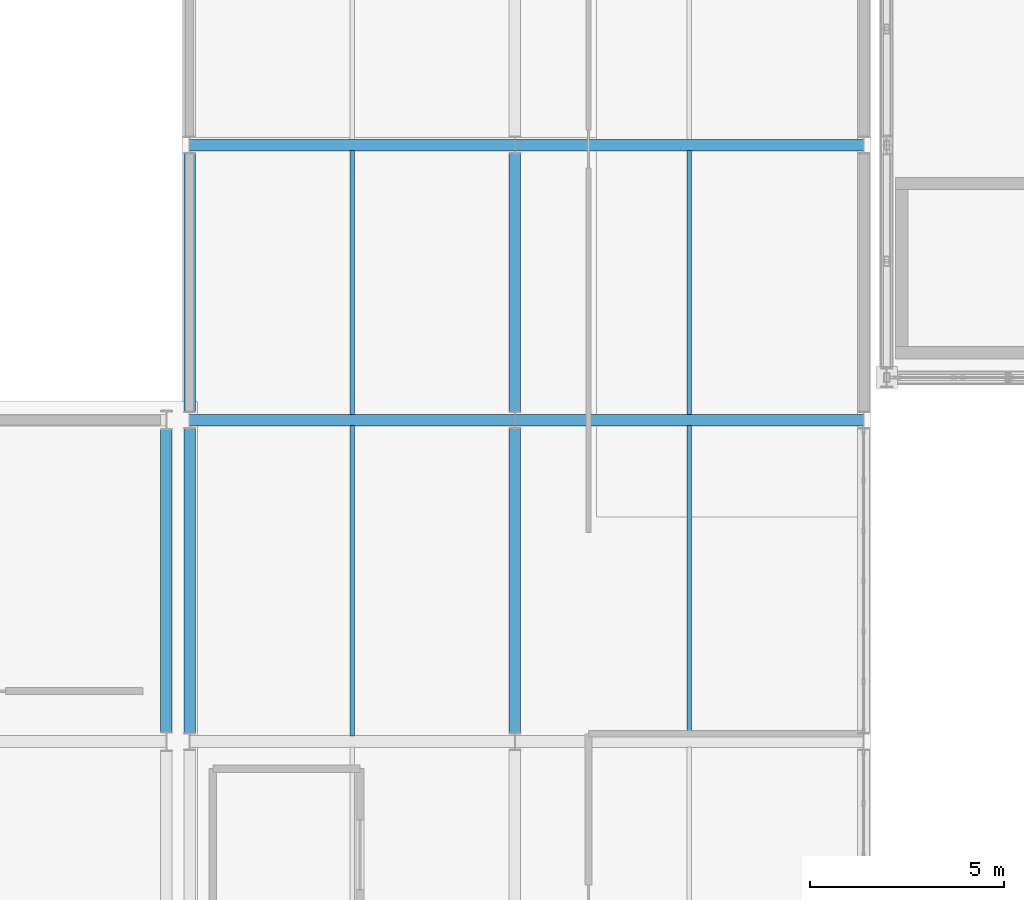
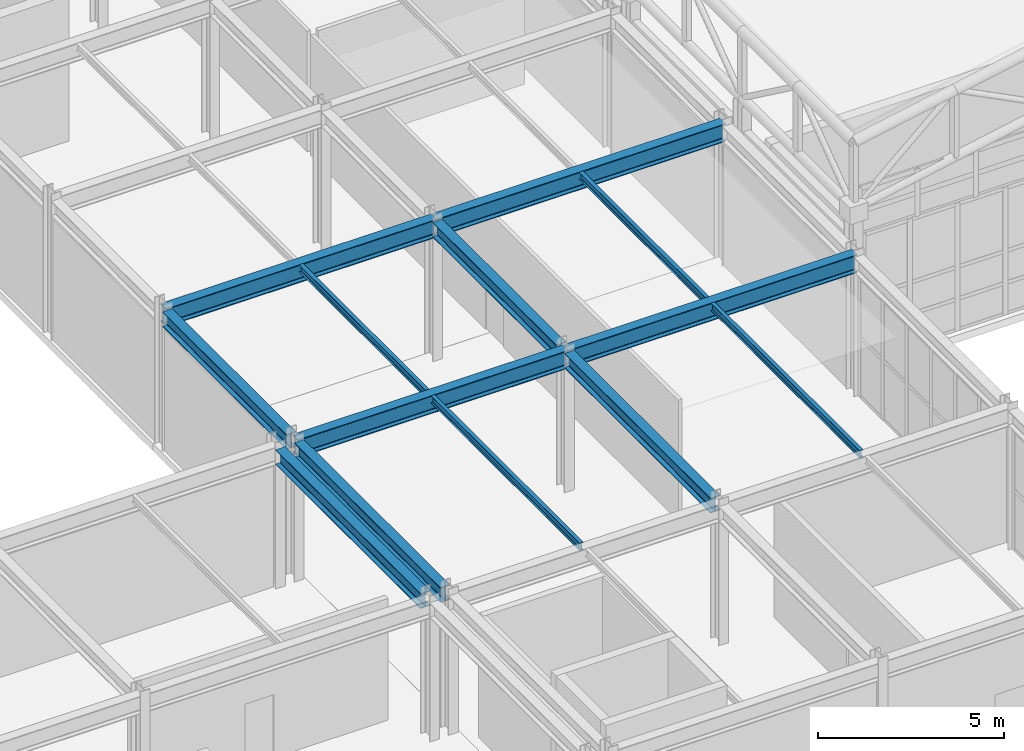
# One storey, part 40 of 112: 13 beams.
"""IFC4 building model written with IfcOpenShell, lengths in metres."""

import ifcopenshell
import ifcopenshell.guid

model = None  # the IFC model being written
_history = None  # IfcOwnerHistory: only IFC2X3 demands one
_inside = {}  # id of a spatial element -> (the spatial element, [elements in it])
_under = {}  # id of a project, library or spatial element -> (it, [spatial elements below it])
_declared = {}  # id of a project -> (the project, [libraries it declares])
_typed = {}  # id of a type object -> (the type object, [elements of that type])
_made_of = {}  # id of a material, layer set ... -> (it, [elements and type objects made of it])


def new_model(schema):
    """Start an empty IFC model of exactly this schema.

    Asked for "IFC4X3", IfcOpenShell would pick the latest addendum, in which some entities
    have other attributes; the version numbers below select the first issue.
    IFC2X3 requires an IfcOwnerHistory on every rooted entity: one is made here for all.
    """
    global model, _history
    if schema == "IFC4X3":
        model = ifcopenshell.file(schema_version=(4, 3, 0, 0))
    else:
        model = ifcopenshell.file(schema=schema)
    _inside.clear()
    _under.clear()
    _declared.clear()
    _typed.clear()
    _made_of.clear()
    _history = None
    if model.schema == "IFC2X3":
        org = make("IfcOrganization", Name="unknown")
        user = make(
            "IfcPersonAndOrganization",
            ThePerson=make("IfcPerson", FamilyName="unknown"),
            TheOrganization=org,
        )
        app = make(
            "IfcApplication",
            ApplicationDeveloper=org,
            Version="unknown",
            ApplicationFullName="unknown",
            ApplicationIdentifier="unknown",
        )
        _history = make(
            "IfcOwnerHistory",
            OwningUser=user,
            OwningApplication=app,
            ChangeAction="ADDED",
            CreationDate=0,
        )
    return model


def make(cls, **values):
    """One entity of the class cls with the attributes given. An attribute that is None is left unset."""
    return model.create_entity(
        cls, **{name: value for name, value in values.items() if value is not None}
    )


def rooted(cls, **values):
    """An entity with a GlobalId (a new one), such as an element, a storey or a relation."""
    return make(cls, GlobalId=ifcopenshell.guid.new(), OwnerHistory=_history, **values)


def si_unit(unit_type, name, prefix=None):
    """IfcSIUnit, for example si_unit("LENGTHUNIT", "METRE", prefix="MILLI")."""
    return make("IfcSIUnit", UnitType=unit_type, Prefix=prefix, Name=name)


def assignment(units):
    """IfcUnitAssignment: the units of a project."""
    return None if units is None else make("IfcUnitAssignment", Units=units)


def point(xyz):
    """IfcCartesianPoint."""
    return None if xyz is None else make("IfcCartesianPoint", Coordinates=xyz)


def direction(xyz):
    """IfcDirection."""
    return None if xyz is None else make("IfcDirection", DirectionRatios=xyz)


def frame(location, z_axis=None, x_axis=None):
    """IfcAxis2Placement3D, a coordinate frame: its origin and axes. An axis left out is left unset."""
    return make(
        "IfcAxis2Placement3D",
        Location=point(location),
        Axis=direction(z_axis),
        RefDirection=direction(x_axis),
    )


def frame_2d(location, x_axis=None):
    """IfcAxis2Placement2D, a coordinate frame in the plane: its origin and x axis."""
    return make(
        "IfcAxis2Placement2D", Location=point(location), RefDirection=direction(x_axis)
    )


def origin():
    """The frame at (0, 0, 0) with its axes left unset."""
    return frame((0.0, 0.0, 0.0))


def origin_2d():
    """The frame at (0, 0) in the plane with its x axis left unset."""
    return frame_2d((0.0, 0.0))


def place(relative_to, where):
    """IfcLocalPlacement: puts the frame where relative to a parent placement (None: the world)."""
    return make(
        "IfcLocalPlacement", PlacementRelTo=relative_to, RelativePlacement=where
    )


def context(
    kind, dimensions, precision=None, world=None, true_north=None, identifier=None
):
    """IfcGeometricRepresentationContext, for example the 3D "Model" context."""
    return make(
        "IfcGeometricRepresentationContext",
        ContextIdentifier=identifier,
        ContextType=kind,
        CoordinateSpaceDimension=dimensions,
        Precision=precision,
        WorldCoordinateSystem=world,
        TrueNorth=true_north,
    )


def subcontext(parent, identifier, kind, view, scale=None):
    """IfcGeometricRepresentationSubContext, for example "Body" below "Model"."""
    return make(
        "IfcGeometricRepresentationSubContext",
        ContextIdentifier=identifier,
        ContextType=kind,
        ParentContext=parent,
        TargetScale=scale,
        TargetView=view,
    )


def project(units=None, contexts=None):
    """IfcProject with its units and contexts."""
    return rooted(
        "IfcProject",
        Name="project",
        RepresentationContexts=contexts,
        UnitsInContext=assignment(units),
    )


def spatial(cls, under=None, at=None, **own):
    """A site, building, storey or space (cls), placed at a placement, below another one or the project."""
    s = rooted(cls, ObjectPlacement=at, **own)
    if under is not None:
        _under.setdefault(under.id(), (under, []))[1].append(s)
    return s


def profile(cls, at=None, kind="AREA", **sizes):
    """A parametric profile (cls). Its sizes go by their IFC names, for example OverallWidth=200.0."""
    return make(cls, ProfileType=kind, Position=at, **sizes)


def i_section(**sizes):
    """IfcIShapeProfileDef."""
    return profile("IfcIShapeProfileDef", **sizes)


def extrude(swept, where, along, depth):
    """IfcExtrudedAreaSolid: the profile swept, set in the frame where, extruded along a direction by depth."""
    return make(
        "IfcExtrudedAreaSolid",
        SweptArea=swept,
        Position=where,
        ExtrudedDirection=direction(along),
        Depth=depth,
    )


def shape(context_of_items, identifier, shape_type, items):
    """IfcShapeRepresentation: the items that make up one representation, for example the "Body"."""
    return make(
        "IfcShapeRepresentation",
        ContextOfItems=context_of_items,
        RepresentationIdentifier=identifier,
        RepresentationType=shape_type,
        Items=items,
    )


def material(Name=None, Category=None):
    """IfcMaterial."""
    return make("IfcMaterial", Name=Name, Category=Category)


def material_profile(
    of_material, cross_section, Name=None, Category=None, Priority=None
):
    """IfcMaterialProfile: a cross section and its material."""
    return make(
        "IfcMaterialProfile",
        Name=Name,
        Material=of_material,
        Profile=cross_section,
        Priority=Priority,
        Category=Category,
    )


def profile_set(profiles, Name=None, composite=None):
    """IfcMaterialProfileSet."""
    return make(
        "IfcMaterialProfileSet",
        Name=Name,
        MaterialProfiles=profiles,
        CompositeProfile=composite,
    )


def made_of(thing, what):
    """Note that an element or type object is made of a material, layer set ...; save() writes the relation."""
    if what is not None:
        _made_of.setdefault(what.id(), (what, []))[1].append(thing)
    return thing


def type_object(cls, material=None, **own):
    """A type object (cls), such as IfcWallType, which elements share."""
    return made_of(rooted(cls, **own), material)


def element(
    cls,
    number,
    at=None,
    inside=None,
    cuts=None,
    type_object=None,
    material=None,
    context=None,
    identifier="Body",
    shape_type=None,
    held_by="IfcProductDefinitionShape",
    body=None,
    shapes=None,
    **own,
):
    """One element of the class cls, such as IfcWall. Its Tag is "e" and its number.

    at: its placement. inside: the storey or other place that contains it. cuts: it is an
    opening in that element (IfcRelVoidsElement). A single representation is given by context,
    identifier, shape_type and body (its items); several are given by shapes. held_by: the class
    of the entity that holds the representations. save() writes the other relations.
    """
    e = rooted(cls, Tag="e%d" % number, ObjectPlacement=at, **own)
    if body is not None:
        shapes = [shape(context, identifier, shape_type, body)]
    if shapes is not None:
        e.Representation = make(held_by, Representations=shapes)
    if inside is not None:
        _inside.setdefault(inside.id(), (inside, []))[1].append(e)
    if cuts is not None:
        rooted(
            "IfcRelVoidsElement", RelatingBuildingElement=cuts, RelatedOpeningElement=e
        )
    if type_object is not None:
        _typed.setdefault(type_object.id(), (type_object, []))[1].append(e)
    return made_of(e, material)


def aggregate(whole, parts):
    """IfcRelAggregates: a whole, such as a stair, and the parts it consists of."""
    return rooted("IfcRelAggregates", RelatingObject=whole, RelatedObjects=parts)


def save(model, path):
    """Write the relations noted so far, then the file.

    IfcRelAggregates (storeys below a building ...), IfcRelContainedInSpatialStructure (elements
    in a storey), IfcRelDefinesByType, IfcRelAssociatesMaterial and IfcRelDeclares: one each for
    every whole, place, type object, material and project.
    """
    for whole, parts in _under.values():
        aggregate(whole, parts)
    for where, things in _inside.values():
        rooted(
            "IfcRelContainedInSpatialStructure",
            RelatedElements=things,
            RelatingStructure=where,
        )
    for kind, things in _typed.values():
        rooted("IfcRelDefinesByType", RelatedObjects=things, RelatingType=kind)
    for what, things in _made_of.values():
        rooted("IfcRelAssociatesMaterial", RelatedObjects=things, RelatingMaterial=what)
    for by, libraries in _declared.values():
        rooted("IfcRelDeclares", RelatingContext=by, RelatedDefinitions=libraries)
    model.write(path)


model = new_model("IFC4")

# Units and contexts
model_context = context("Model", 3, precision=1e-05, world=origin(), true_north=direction((0.0, 1.0)))
body_context = subcontext(model_context, "Body", "Model", "MODEL_VIEW")
ifc_project = project(units=[si_unit("LENGTHUNIT", "METRE"), si_unit("AREAUNIT", "SQUARE_METRE"), si_unit("VOLUMEUNIT", "CUBIC_METRE"), si_unit("PLANEANGLEUNIT", "RADIAN"), si_unit("MASSUNIT", "GRAM", prefix="KILO")], contexts=[model_context])

# Site, building, storey
site_placement = place(None, origin())
site = spatial("IfcSite", under=ifc_project, at=site_placement, CompositionType="ELEMENT")
building_placement = place(site_placement, origin())
building = spatial("IfcBuilding", under=site, at=building_placement, Name="Kaldris Quays Convention Centre", CompositionType="ELEMENT")
storey_placement = place(building_placement, frame((0.0, 0.0, 16.800048828125)))
storey = spatial("IfcBuildingStorey", under=building, at=storey_placement, Name="L03", CompositionType="ELEMENT", Elevation=16.800048828125)

# Beams
ifc_material = material(Name="Steel S355J2", Category="steel")
ifc_material_profile_1 = material_profile(ifc_material, i_section(OverallWidth=0.300048828125, OverallDepth=0.590087890625, WebThickness=0.012939453125, FlangeThickness=0.02490234375, FilletRadius=0.027099609375, at=origin_2d()), Name="HEA 600")
ifc_profile_set_1 = profile_set([ifc_material_profile_1], Name="Steel S355J2")
beam_type_1 = type_object("IfcBeamType", Name="STRUCTURAL BEAM BM08", PredefinedType="BEAM", material=ifc_profile_set_1)
beam_1_placement = place(storey_placement, frame((146.60107421875, 54.89990234375, 4.284912109375), z_axis=(1.0, 0.0, 0.0), x_axis=(0.0, 1.0, 0.0)))
element("IfcBeam", 1, at=beam_1_placement, inside=storey, type_object=beam_type_1, Name="L03 Girder BM08 26", PredefinedType="BEAM", context=body_context, shape_type="SweptSolid", body=[
    extrude(i_section(OverallWidth=0.300048828125, OverallDepth=0.590087890625, WebThickness=0.012939453125, FlangeThickness=0.02490234375, FilletRadius=0.027099609375, at=origin_2d()), origin(), (0.0, 0.0, 1.0), 8.39794921875),
])
beam_2_placement = place(storey_placement, frame((155.0009765625, 54.89990234375, 4.284912109375), z_axis=(1.0, 0.0, 0.0), x_axis=(0.0, 1.0, 0.0)))
element("IfcBeam", 2, at=beam_2_placement, inside=storey, type_object=beam_type_1, Name="L03 Girder BM08 27", PredefinedType="BEAM", context=body_context, shape_type="SweptSolid", body=[
    extrude(i_section(OverallWidth=0.300048828125, OverallDepth=0.590087890625, WebThickness=0.012939453125, FlangeThickness=0.02490234375, FilletRadius=0.027099609375, at=origin_2d()), origin(), (0.0, 0.0, 1.0), 8.998046875),
])
beam_3_placement = place(storey_placement, frame((146.60107421875, 62.0, 4.284912109375), z_axis=(1.0, 0.0, 0.0), x_axis=(0.0, 1.0, 0.0)))
element("IfcBeam", 3, at=beam_3_placement, inside=storey, type_object=beam_type_1, Name="L03 Girder BM08 28", PredefinedType="BEAM", context=body_context, shape_type="SweptSolid", body=[
    extrude(i_section(OverallWidth=0.300048828125, OverallDepth=0.590087890625, WebThickness=0.012939453125, FlangeThickness=0.02490234375, FilletRadius=0.027099609375, at=origin_2d()), origin(), (0.0, 0.0, 1.0), 8.39794921875),
])
beam_4_placement = place(storey_placement, frame((155.0009765625, 62.0, 4.284912109375), z_axis=(1.0, 0.0, 0.0), x_axis=(0.0, 1.0, 0.0)))
element("IfcBeam", 4, at=beam_4_placement, inside=storey, type_object=beam_type_1, Name="L03 Girder BM08 29", PredefinedType="BEAM", context=body_context, shape_type="SweptSolid", body=[
    extrude(i_section(OverallWidth=0.300048828125, OverallDepth=0.590087890625, WebThickness=0.012939453125, FlangeThickness=0.02490234375, FilletRadius=0.027099609375, at=origin_2d()), origin(), (0.0, 0.0, 1.0), 8.998046875),
])
ifc_material_profile_2 = material_profile(ifc_material, i_section(OverallWidth=0.300048828125, OverallDepth=0.489990234375, WebThickness=0.011962890625, FlangeThickness=0.02294921875, FilletRadius=0.027099609375, at=origin_2d()), Name="HEA 500")
ifc_profile_set_2 = profile_set([ifc_material_profile_2], Name="Steel S355J2")
beam_type_2 = type_object("IfcBeamType", Name="STRUCTURAL BEAM BM09", PredefinedType="BEAM", material=ifc_profile_set_2)
beam_5_placement = place(storey_placement, frame((146.0, 46.843994140625, 4.3349609375), z_axis=(0.0, 1.0, 0.0), x_axis=(-1.0, 0.0, 0.0)))
element("IfcBeam", 5, at=beam_5_placement, inside=storey, type_object=beam_type_2, Name="L03 Girder BM09 65", PredefinedType="BEAM", context=body_context, shape_type="SweptSolid", body=[
    extrude(i_section(OverallWidth=0.300048828125, OverallDepth=0.489990234375, WebThickness=0.011962890625, FlangeThickness=0.02294921875, FilletRadius=0.027099609375, at=origin_2d()), origin(), (0.0, 0.0, 1.0), 7.81201171875),
])
beam_6_placement = place(storey_placement, frame((146.60009765625, 46.819091796875, 4.3349609375), z_axis=(0.0, 1.0, 0.0), x_axis=(-1.0, 0.0, 0.0)))
element("IfcBeam", 6, at=beam_6_placement, inside=storey, type_object=beam_type_2, Name="L03 Girder BM09 67", PredefinedType="BEAM", context=body_context, shape_type="SweptSolid", body=[
    extrude(i_section(OverallWidth=0.300048828125, OverallDepth=0.489990234375, WebThickness=0.011962890625, FlangeThickness=0.02294921875, FilletRadius=0.027099609375, at=origin_2d()), origin(), (0.0, 0.0, 1.0), 7.86181640625),
])
beam_7_placement = place(storey_placement, frame((146.60009765625, 55.118896484375, 4.3349609375), z_axis=(0.0, 1.0, 0.0), x_axis=(-1.0, 0.0, 0.0)))
element("IfcBeam", 7, at=beam_7_placement, inside=storey, type_object=beam_type_2, Name="L03 Girder BM09 68", PredefinedType="BEAM", context=body_context, shape_type="SweptSolid", body=[
    extrude(i_section(OverallWidth=0.300048828125, OverallDepth=0.489990234375, WebThickness=0.011962890625, FlangeThickness=0.02294921875, FilletRadius=0.027099609375, at=origin_2d()), origin(), (0.0, 0.0, 1.0), 6.662109375),
])
beam_8_placement = place(storey_placement, frame((155.0, 46.819091796875, 4.3349609375), z_axis=(0.0, 1.0, 0.0), x_axis=(-1.0, 0.0, 0.0)))
element("IfcBeam", 8, at=beam_8_placement, inside=storey, type_object=beam_type_2, Name="L03 Girder BM09 79", PredefinedType="BEAM", context=body_context, shape_type="SweptSolid", body=[
    extrude(i_section(OverallWidth=0.300048828125, OverallDepth=0.489990234375, WebThickness=0.011962890625, FlangeThickness=0.02294921875, FilletRadius=0.027099609375, at=origin_2d()), origin(), (0.0, 0.0, 1.0), 7.86181640625),
])
beam_9_placement = place(storey_placement, frame((155.0, 55.118896484375, 4.3349609375), z_axis=(0.0, 1.0, 0.0), x_axis=(-1.0, 0.0, 0.0)))
element("IfcBeam", 9, at=beam_9_placement, inside=storey, type_object=beam_type_2, Name="L03 Girder BM09 80", PredefinedType="BEAM", context=body_context, shape_type="SweptSolid", body=[
    extrude(i_section(OverallWidth=0.300048828125, OverallDepth=0.489990234375, WebThickness=0.011962890625, FlangeThickness=0.02294921875, FilletRadius=0.027099609375, at=origin_2d()), origin(), (0.0, 0.0, 1.0), 6.662109375),
])
ifc_material_profile_3 = material_profile(ifc_material, i_section(OverallWidth=0.1201171875, OverallDepth=0.239990234375, WebThickness=0.006103515625, FlangeThickness=0.009765625, FilletRadius=0.014892578125, at=origin_2d()), Name="IPE 240")
ifc_profile_set_3 = profile_set([ifc_material_profile_3], Name="Steel S355J2")
beam_type_3 = type_object("IfcBeamType", Name="STRUCTURAL BEAM JT05", PredefinedType="JOIST", material=ifc_profile_set_3)
for number, where, z_axis, x_axis, name in (
    (10, (150.800048828125, 46.743896484375, 4.4599609375), (0.0, 1.0, 0.0), (-1.0, 0.0, 0.0), "L03 Secondary Joist JT05 10"),
    (11, (159.5, 46.743896484375, 4.4599609375), (0.0, 1.0, 0.0), (-1.0, 0.0, 0.0), "L03 Secondary Joist JT05 11"),
):
    element("IfcBeam", number, at=place(storey_placement, frame(where, z_axis=z_axis, x_axis=x_axis)), inside=storey, type_object=beam_type_3, Name=name, PredefinedType="JOIST", context=body_context, shape_type="SweptSolid", body=[
        extrude(i_section(OverallWidth=0.1201171875, OverallDepth=0.239990234375, WebThickness=0.006103515625, FlangeThickness=0.009765625, FilletRadius=0.014892578125, at=origin_2d()), origin(), (0.0, 0.0, 1.0), 8.01220703125),
    ])
for number, where, z_axis, x_axis, name in (
    (12, (150.800048828125, 55.0439453125, 4.4599609375), (0.0, 1.0, 0.0), (-1.0, 0.0, 0.0), "L03 Secondary Joist JT05 12"),
    (13, (159.5, 55.0439453125, 4.4599609375), (0.0, 1.0, 0.0), (-1.0, 0.0, 0.0), "L03 Secondary Joist JT05 13"),
):
    element("IfcBeam", number, at=place(storey_placement, frame(where, z_axis=z_axis, x_axis=x_axis)), inside=storey, type_object=beam_type_3, Name=name, PredefinedType="JOIST", context=body_context, shape_type="SweptSolid", body=[
        extrude(i_section(OverallWidth=0.1201171875, OverallDepth=0.239990234375, WebThickness=0.006103515625, FlangeThickness=0.009765625, FilletRadius=0.014892578125, at=origin_2d()), origin(), (0.0, 0.0, 1.0), 6.81201171875),
    ])

save(model, "model.ifc")
